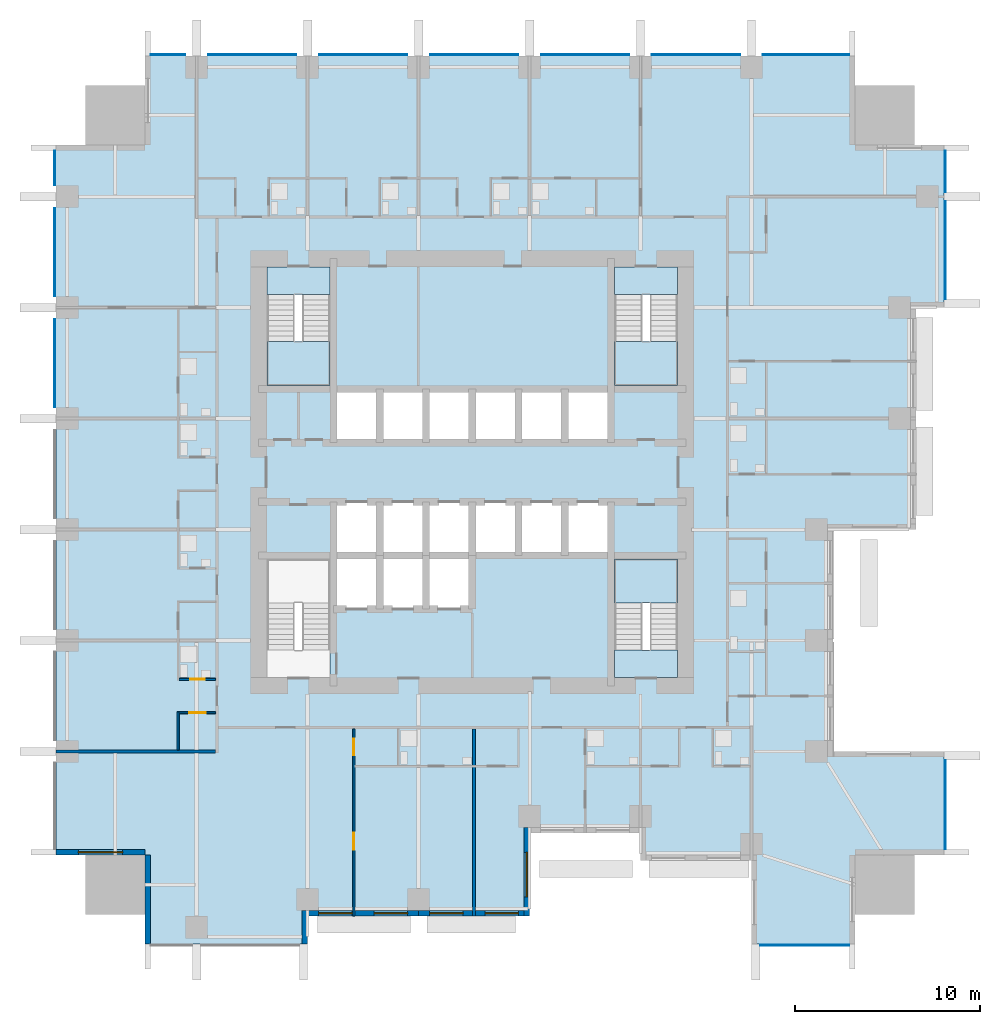
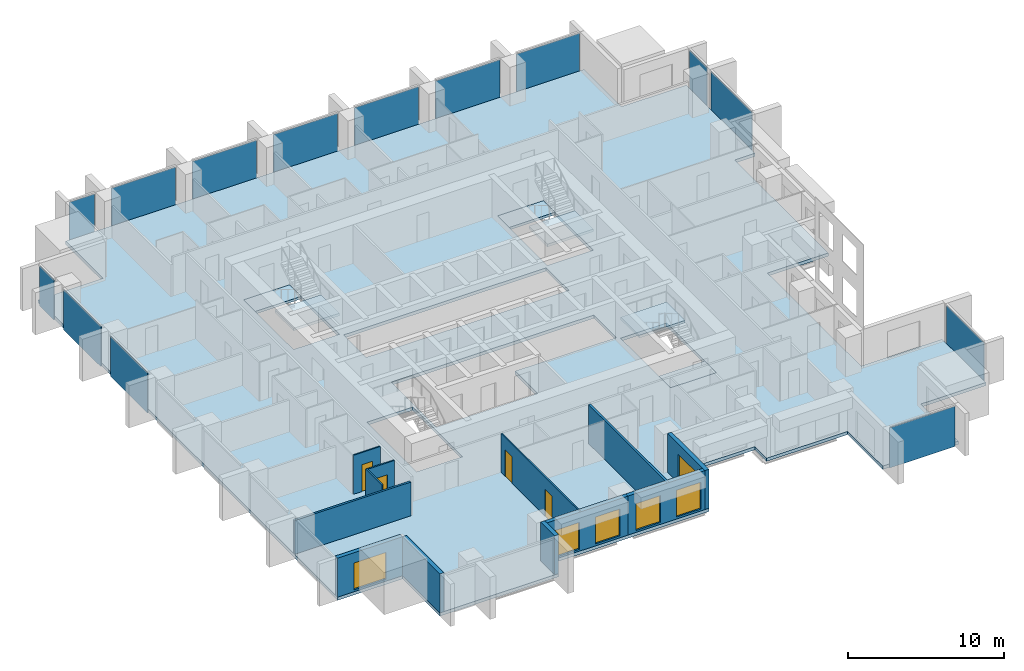
# One storey, part 3 of 10: 14 plates, 12 walls, 7 slabs, 6 windows, 4 doors, 10 openings, 8 elements without a shape of their own.
"""IFC4 building model written with IfcOpenShell, lengths in metres."""

from ifc_helpers import new_model, si_unit, direction, frame, frame_2d, origin, origin_2d, place, context, subcontext, project, spatial, polyline, rectangle, outline, extrude, material, layer, layer_set, type_object, element, fill, aggregate, save


model = new_model("IFC4")

# Units and contexts
model_context = context("Model", 3, precision=1e-05, world=origin(), true_north=direction((0.0, 1.0)))
body_context = subcontext(model_context, "Body", "Model", "MODEL_VIEW")
ifc_project = project(units=[si_unit("LENGTHUNIT", "METRE"), si_unit("AREAUNIT", "SQUARE_METRE"), si_unit("VOLUMEUNIT", "CUBIC_METRE"), si_unit("PLANEANGLEUNIT", "RADIAN"), si_unit("MASSUNIT", "GRAM", prefix="KILO")], contexts=[model_context])

# Site, building, storey
site_placement = place(None, origin())
site = spatial("IfcSite", under=ifc_project, at=site_placement, CompositionType="ELEMENT")
building_placement = place(site_placement, origin())
building = spatial("IfcBuilding", under=site, at=building_placement, Name="Amberfall Residences", CompositionType="ELEMENT")
storey_placement = place(building_placement, frame((0.0, 0.0, 30.10009765625)))
storey = spatial("IfcBuildingStorey", under=building, at=storey_placement, Name="L07", CompositionType="ELEMENT", Elevation=30.10009765625)

# Curtain wall, plate
ifc_material_1 = material(Name="Bronze anodised aluminium and glass", Category="aluminium")
curtain_wall_type = type_object("IfcCurtainWallType", Name="Curtain wall CW1 tower unit", PredefinedType="USERDEFINED", material=ifc_material_1)
curtain_wall_1_placement = place(storey_placement, origin())
curtain_wall_1 = element("IfcCurtainWall", 1, at=curtain_wall_1_placement, inside=storey, type_object=curtain_wall_type, Name="Curtain wall L07 S S10", ObjectType="UNITISED CURTAIN WALL", PredefinedType="USERDEFINED")
ifc_material_2 = material(Name="Tinted double glazed unit", Category="glass")
ifc_layer_1 = layer(ifc_material_2, 0.035888671875)
ifc_layer_set_1 = layer_set([ifc_layer_1], Name="CW1 panel 36 glazing")
plate_type = type_object("IfcPlateType", Name="CW1 panel 36 glazing", PredefinedType="CURTAIN_PANEL", material=ifc_layer_set_1)
plate_1_placement = place(storey_placement, frame((92.47509765625, 19.925048828125, -0.25), z_axis=(0.0, 0.0, 1.0), x_axis=(1.0, 0.0, 0.0)))
plate_1 = element("IfcPlate", 2, at=plate_1_placement, type_object=plate_type, Name="CW1 panel 1.1", PredefinedType="CURTAIN_PANEL", context=body_context, shape_type="SweptSolid", body=[
    extrude(rectangle(XDim=4.825927734375, YDim=0.035888671875, at=origin_2d()), origin(), (0.0, 0.0, 1.0), 3.14990234375),
])
aggregate(curtain_wall_1, [plate_1])

curtain_wall_2_placement = place(storey_placement, origin())
curtain_wall_2 = element("IfcCurtainWall", 3, at=curtain_wall_2_placement, inside=storey, type_object=curtain_wall_type, Name="Curtain wall L07 E E1", ObjectType="UNITISED CURTAIN WALL", PredefinedType="USERDEFINED")
plate_2_placement = place(storey_placement, frame((100.074951171875, 27.52490234375, -0.25), z_axis=(0.0, 0.0, 1.0), x_axis=(0.0, 1.0, 0.0)))
plate_2 = element("IfcPlate", 4, at=plate_2_placement, type_object=plate_type, Name="CW1 panel 1.1", PredefinedType="CURTAIN_PANEL", context=body_context, shape_type="SweptSolid", body=[
    extrude(rectangle(XDim=4.825927734375, YDim=0.035888671875, at=origin_2d()), origin(), (0.0, 0.0, 1.0), 3.14990234375),
])
aggregate(curtain_wall_2, [plate_2])

# Curtain wall, plates
curtain_wall_3_placement = place(storey_placement, origin())
curtain_wall_3 = element("IfcCurtainWall", 5, at=curtain_wall_3_placement, inside=storey, type_object=curtain_wall_type, Name="Curtain wall L07 E E9", ObjectType="UNITISED CURTAIN WALL", PredefinedType="USERDEFINED")
plate_3_placement = place(storey_placement, frame((100.074951171875, 57.512451171875, -0.25), z_axis=(0.0, 0.0, 1.0), x_axis=(0.0, 1.0, 0.0)))
plate_3 = element("IfcPlate", 6, at=plate_3_placement, type_object=plate_type, Name="CW1 panel 1.1", PredefinedType="CURTAIN_PANEL", context=body_context, shape_type="SweptSolid", body=[
    extrude(rectangle(XDim=5.301025390625, YDim=0.035888671875, at=origin_2d()), origin(), (0.0, 0.0, 1.0), 3.14990234375),
])
plate_4_placement = place(storey_placement, frame((100.074951171875, 61.762451171875, -0.25), z_axis=(0.0, 0.0, 1.0), x_axis=(0.0, 1.0, 0.0)))
plate_4 = element("IfcPlate", 7, at=plate_4_placement, type_object=plate_type, Name="CW1 panel 2.1", PredefinedType="CURTAIN_PANEL", context=body_context, shape_type="SweptSolid", body=[
    extrude(rectangle(XDim=2.2509765625, YDim=0.035888671875, at=origin_2d()), origin(), (0.0, 0.0, 1.0), 3.14990234375),
])
aggregate(curtain_wall_3, [plate_3, plate_4])

curtain_wall_4_placement = place(storey_placement, origin())
curtain_wall_4 = element("IfcCurtainWall", 8, at=curtain_wall_4_placement, inside=storey, type_object=curtain_wall_type, Name="Curtain wall L07 N N1", ObjectType="UNITISED CURTAIN WALL", PredefinedType="USERDEFINED")
plate_5_placement = place(storey_placement, frame((92.552490234375, 68.074951171875, -0.25), z_axis=(0.0, 0.0, 1.0), x_axis=(-1.0, 0.0, 0.0)))
plate_5 = element("IfcPlate", 9, at=plate_5_placement, type_object=plate_type, Name="CW1 panel 1.1", PredefinedType="CURTAIN_PANEL", context=body_context, shape_type="SweptSolid", body=[
    extrude(rectangle(XDim=4.6708984375, YDim=0.035888671875, at=origin_2d()), origin(), (0.0, 0.0, 1.0), 3.14990234375),
])
plate_6_placement = place(storey_placement, frame((86.60009765625, 68.074951171875, -0.25), z_axis=(0.0, 0.0, 1.0), x_axis=(-1.0, 0.0, 0.0)))
plate_6 = element("IfcPlate", 10, at=plate_6_placement, type_object=plate_type, Name="CW1 panel 2.1", PredefinedType="CURTAIN_PANEL", context=body_context, shape_type="SweptSolid", body=[
    extrude(rectangle(XDim=4.76611328125, YDim=0.035888671875, at=origin_2d()), origin(), (0.0, 0.0, 1.0), 3.14990234375),
])
plate_7_placement = place(storey_placement, frame((80.60009765625, 68.074951171875, -0.25), z_axis=(0.0, 0.0, 1.0), x_axis=(-1.0, 0.0, 0.0)))
plate_7 = element("IfcPlate", 11, at=plate_7_placement, type_object=plate_type, Name="CW1 panel 3.1", PredefinedType="CURTAIN_PANEL", context=body_context, shape_type="SweptSolid", body=[
    extrude(rectangle(XDim=4.76611328125, YDim=0.035888671875, at=origin_2d()), origin(), (0.0, 0.0, 1.0), 3.14990234375),
])
plate_8_placement = place(storey_placement, frame((74.60009765625, 68.074951171875, -0.25), z_axis=(0.0, 0.0, 1.0), x_axis=(-1.0, 0.0, 0.0)))
plate_8 = element("IfcPlate", 12, at=plate_8_placement, type_object=plate_type, Name="CW1 panel 4.1", PredefinedType="CURTAIN_PANEL", context=body_context, shape_type="SweptSolid", body=[
    extrude(rectangle(XDim=4.76611328125, YDim=0.035888671875, at=origin_2d()), origin(), (0.0, 0.0, 1.0), 3.14990234375),
])
plate_9_placement = place(storey_placement, frame((68.60009765625, 68.074951171875, -0.25), z_axis=(0.0, 0.0, 1.0), x_axis=(-1.0, 0.0, 0.0)))
plate_9 = element("IfcPlate", 13, at=plate_9_placement, type_object=plate_type, Name="CW1 panel 5.1", PredefinedType="CURTAIN_PANEL", context=body_context, shape_type="SweptSolid", body=[
    extrude(rectangle(XDim=4.76611328125, YDim=0.035888671875, at=origin_2d()), origin(), (0.0, 0.0, 1.0), 3.14990234375),
])
plate_10_placement = place(storey_placement, frame((62.60009765625, 68.074951171875, -0.25), z_axis=(0.0, 0.0, 1.0), x_axis=(-1.0, 0.0, 0.0)))
plate_10 = element("IfcPlate", 14, at=plate_10_placement, type_object=plate_type, Name="CW1 panel 6.1", PredefinedType="CURTAIN_PANEL", context=body_context, shape_type="SweptSolid", body=[
    extrude(rectangle(XDim=4.76611328125, YDim=0.035888671875, at=origin_2d()), origin(), (0.0, 0.0, 1.0), 3.14990234375),
])
plate_11_placement = place(storey_placement, frame((58.047607421875, 68.074951171875, -0.25), z_axis=(0.0, 0.0, 1.0), x_axis=(-1.0, 0.0, 0.0)))
plate_11 = element("IfcPlate", 15, at=plate_11_placement, type_object=plate_type, Name="CW1 panel 7.1", PredefinedType="CURTAIN_PANEL", context=body_context, shape_type="SweptSolid", body=[
    extrude(rectangle(XDim=1.87109375, YDim=0.035888671875, at=origin_2d()), origin(), (0.0, 0.0, 1.0), 3.14990234375),
])
aggregate(curtain_wall_4, [plate_5, plate_6, plate_7, plate_8, plate_9, plate_10, plate_11])

curtain_wall_5_placement = place(storey_placement, origin())
curtain_wall_5 = element("IfcCurtainWall", 16, at=curtain_wall_5_placement, inside=storey, type_object=curtain_wall_type, Name="Curtain wall L07 W W1", ObjectType="UNITISED CURTAIN WALL", PredefinedType="USERDEFINED")
plate_12_placement = place(storey_placement, frame((51.925048828125, 61.952392578125, -0.25), z_axis=(0.0, 0.0, 1.0), x_axis=(0.0, -1.0, 0.0)))
plate_12 = element("IfcPlate", 17, at=plate_12_placement, type_object=plate_type, Name="CW1 panel 1.1", PredefinedType="CURTAIN_PANEL", context=body_context, shape_type="SweptSolid", body=[
    extrude(rectangle(XDim=1.87109375, YDim=0.035888671875, at=origin_2d()), origin(), (0.0, 0.0, 1.0), 3.14990234375),
])
plate_13_placement = place(storey_placement, frame((51.925048828125, 57.39990234375, -0.25), z_axis=(0.0, 0.0, 1.0), x_axis=(0.0, -1.0, 0.0)))
plate_13 = element("IfcPlate", 18, at=plate_13_placement, type_object=plate_type, Name="CW1 panel 2.1", PredefinedType="CURTAIN_PANEL", context=body_context, shape_type="SweptSolid", body=[
    extrude(rectangle(XDim=4.76611328125, YDim=0.035888671875, at=origin_2d()), origin(), (0.0, 0.0, 1.0), 3.14990234375),
])
plate_14_placement = place(storey_placement, frame((51.925048828125, 51.39990234375, -0.25), z_axis=(0.0, 0.0, 1.0), x_axis=(0.0, -1.0, 0.0)))
plate_14 = element("IfcPlate", 19, at=plate_14_placement, type_object=plate_type, Name="CW1 panel 3.1", PredefinedType="CURTAIN_PANEL", context=body_context, shape_type="SweptSolid", body=[
    extrude(rectangle(XDim=4.76611328125, YDim=0.035888671875, at=origin_2d()), origin(), (0.0, 0.0, 1.0), 3.14990234375),
])
aggregate(curtain_wall_5, [plate_12, plate_13, plate_14])

# Slab
ifc_material_3 = material(Name="Concrete C80", Category="concrete")
ifc_layer_2 = layer(ifc_material_3, 0.25)
ifc_layer_set_2 = layer_set([ifc_layer_2], Name="Floor slab 250 C80")
slab_type_1 = type_object("IfcSlabType", Name="Floor slab 250 C80", PredefinedType="FLOOR", material=ifc_layer_set_2)
slab_1_placement = place(storey_placement, frame((0.0, 0.0, -0.25)))
element("IfcSlab", 20, at=slab_1_placement, inside=storey, type_object=slab_type_1, Name="Floor slab S3 L07", PredefinedType="FLOOR", context=body_context, shape_type="SweptSolid", body=[
    extrude(outline(polyline([(89.60009765625, 20.0), (89.60009765625, 24.5), (83.60009765625, 24.5), (83.60009765625, 26.0), (77.60009765625, 26.0), (77.60009765625, 21.5), (71.60009765625, 21.5), (65.60009765625, 21.5), (65.60009765625, 20.0), (56.800048828125, 20.0), (56.800048828125, 24.800048828125), (52.0, 24.800048828125), (52.0, 63.199951171875), (56.800048828125, 63.199951171875), (56.800048828125, 68.0), (95.199951171875, 68.0), (95.199951171875, 63.199951171875), (100.0, 63.199951171875), (100.0, 54.39990234375), (98.5, 54.39990234375), (98.5, 48.39990234375), (98.5, 42.39990234375), (94.0, 42.39990234375), (94.0, 36.39990234375), (94.0, 30.39990234375), (100.0, 30.39990234375), (100.0, 24.800048828125), (95.199951171875, 24.800048828125), (95.199951171875, 20.0), (89.60009765625, 20.0)]), holes=[polyline([(85.60009765625, 34.39990234375), (85.60009765625, 40.800048828125), (82.199951171875, 40.800048828125), (82.199951171875, 34.39990234375), (85.60009765625, 34.39990234375)]), polyline([(82.199951171875, 50.199951171875), (85.60009765625, 50.199951171875), (85.60009765625, 56.60009765625), (82.199951171875, 56.60009765625), (82.199951171875, 50.199951171875)]), polyline([(69.5, 50.0), (67.0, 50.0), (67.0, 47.10009765625), (69.5, 47.10009765625), (72.0, 47.10009765625), (74.5, 47.10009765625), (77.0, 47.10009765625), (79.5, 47.10009765625), (82.0, 47.10009765625), (82.0, 50.0), (79.5, 50.0), (77.0, 50.0), (74.5, 50.0), (72.0, 50.0), (69.5, 50.0)]), polyline([(74.5, 41.0), (77.0, 41.0), (79.5, 41.0), (82.0, 41.0), (82.0, 43.89990234375), (79.5, 43.89990234375), (77.0, 43.89990234375), (74.5, 43.89990234375), (72.0, 43.89990234375), (69.5, 43.89990234375), (67.0, 43.89990234375), (67.0, 41.0), (67.0, 38.10009765625), (69.5, 38.10009765625), (72.0, 38.10009765625), (74.5, 38.10009765625), (74.5, 41.0)]), polyline([(66.800048828125, 34.39990234375), (66.800048828125, 40.800048828125), (63.39990234375, 40.800048828125), (63.39990234375, 34.39990234375), (66.800048828125, 34.39990234375)]), polyline([(66.800048828125, 50.199951171875), (66.800048828125, 56.60009765625), (63.39990234375, 56.60009765625), (63.39990234375, 50.199951171875), (66.800048828125, 50.199951171875)])]), origin(), (0.0, 0.0, 1.0), 0.25),
])

# Stair, slabs
ifc_material_4 = material(Name="Concrete C40", Category="concrete")
stair_type = type_object("IfcStairType", Name="Exit stair 20 risers 165.0 mm", PredefinedType="HALF_TURN_STAIR", material=ifc_material_4)
stair_1_placement = place(storey_placement, origin())
stair_1 = element("IfcStair", 21, at=stair_1_placement, inside=storey, type_object=stair_type, Name="L07 Exit stair 2", PredefinedType="HALF_TURN_STAIR")
ifc_layer_3 = layer(ifc_material_4, 0.199951171875)
ifc_layer_set_3 = layer_set([ifc_layer_3], Name="Stair landing 200")
slab_type_2 = type_object("IfcSlabType", Name="Stair landing 200", PredefinedType="LANDING", material=ifc_layer_set_3)
slab_2_placement = place(storey_placement, frame((0.0, 0.0, 1.449951171875)))
slab_2 = element("IfcSlab", 22, at=slab_2_placement, type_object=slab_type_2, Name="ST3 landing 1", PredefinedType="LANDING", context=body_context, shape_type="SweptSolid", body=[
    extrude(outline(polyline([(85.60009765625, 38.419921875), (85.60009765625, 40.800048828125), (82.199951171875, 40.800048828125), (82.199951171875, 38.419921875), (85.60009765625, 38.419921875)])), origin(), (0.0, 0.0, 1.0), 0.199951171875),
])
slab_3_placement = place(storey_placement, frame((0.0, 0.0, -0.2001953125)))
slab_3 = element("IfcSlab", 23, at=slab_3_placement, type_object=slab_type_2, Name="ST3 landing 2", PredefinedType="LANDING", context=body_context, shape_type="SweptSolid", body=[
    extrude(outline(polyline([(85.60009765625, 34.39990234375), (85.60009765625, 35.89990234375), (82.199951171875, 35.89990234375), (82.199951171875, 34.39990234375), (85.60009765625, 34.39990234375)])), origin(), (0.0, 0.0, 1.0), 0.2001953125),
])
aggregate(stair_1, [slab_2, slab_3])

stair_2_placement = place(storey_placement, origin())
stair_2 = element("IfcStair", 24, at=stair_2_placement, inside=storey, type_object=stair_type, Name="L07 Exit stair 3", PredefinedType="HALF_TURN_STAIR")
slab_4_placement = place(storey_placement, frame((0.0, 0.0, 1.449951171875)))
slab_4 = element("IfcSlab", 25, at=slab_4_placement, type_object=slab_type_2, Name="ST3 landing 1", PredefinedType="LANDING", context=body_context, shape_type="SweptSolid", body=[
    extrude(outline(polyline([(82.199951171875, 52.580078125), (82.199951171875, 50.199951171875), (85.60009765625, 50.199951171875), (85.60009765625, 52.580078125), (82.199951171875, 52.580078125)])), origin(), (0.0, 0.0, 1.0), 0.199951171875),
])
slab_5_placement = place(storey_placement, frame((0.0, 0.0, -0.2001953125)))
slab_5 = element("IfcSlab", 26, at=slab_5_placement, type_object=slab_type_2, Name="ST3 landing 2", PredefinedType="LANDING", context=body_context, shape_type="SweptSolid", body=[
    extrude(outline(polyline([(82.199951171875, 56.60009765625), (82.199951171875, 55.10009765625), (85.60009765625, 55.10009765625), (85.60009765625, 56.60009765625), (82.199951171875, 56.60009765625)])), origin(), (0.0, 0.0, 1.0), 0.2001953125),
])
aggregate(stair_2, [slab_4, slab_5])

stair_3_placement = place(storey_placement, origin())
stair_3 = element("IfcStair", 27, at=stair_3_placement, inside=storey, type_object=stair_type, Name="L07 Exit stair 4", PredefinedType="HALF_TURN_STAIR")
slab_6_placement = place(storey_placement, frame((0.0, 0.0, 1.449951171875)))
slab_6 = element("IfcSlab", 28, at=slab_6_placement, type_object=slab_type_2, Name="ST3 landing 1", PredefinedType="LANDING", context=body_context, shape_type="SweptSolid", body=[
    extrude(outline(polyline([(63.39990234375, 52.580078125), (63.39990234375, 50.199951171875), (66.800048828125, 50.199951171875), (66.800048828125, 52.580078125), (63.39990234375, 52.580078125)])), origin(), (0.0, 0.0, 1.0), 0.199951171875),
])
slab_7_placement = place(storey_placement, frame((0.0, 0.0, -0.2001953125)))
slab_7 = element("IfcSlab", 29, at=slab_7_placement, type_object=slab_type_2, Name="ST3 landing 2", PredefinedType="LANDING", context=body_context, shape_type="SweptSolid", body=[
    extrude(outline(polyline([(63.39990234375, 56.60009765625), (63.39990234375, 55.10009765625), (66.800048828125, 55.10009765625), (66.800048828125, 56.60009765625), (63.39990234375, 56.60009765625)])), origin(), (0.0, 0.0, 1.0), 0.2001953125),
])
aggregate(stair_3, [slab_6, slab_7])

# Wall
ifc_material_5 = material(Name="Pale stone cladding on insulated backing", Category="masonry")
ifc_layer_4 = layer(ifc_material_5, 0.300048828125)
ifc_layer_set_4 = layer_set([ifc_layer_4], Name="Bronze clad wall 300")
wall_type_1 = type_object("IfcWallType", Name="Bronze clad wall 300", PredefinedType="SOLIDWALL", material=ifc_layer_set_4)
wall_1_placement = place(storey_placement, frame((65.449951171875, 20.0, 0.0), z_axis=(0.0, 0.0, 1.0), x_axis=(0.0, 1.0, 0.0)))
element("IfcWall", 30, at=wall_1_placement, inside=storey, type_object=wall_type_1, Name="External wall L07 S", PredefinedType="SOLIDWALL", context=body_context, shape_type="SweptSolid", body=[
    extrude(rectangle(XDim=1.800048828125, YDim=0.300048828125, at=frame_2d((0.89990234375, 0.0))), origin(), (0.0, 0.0, 1.0), 3.0498046875),
])

# Wall, opening, window
wall_2_placement = place(storey_placement, frame((77.449951171875, 21.5, 0.0), z_axis=(0.0, 0.0, 1.0), x_axis=(0.0, 1.0, 0.0)))
wall_2 = element("IfcWall", 31, at=wall_2_placement, inside=storey, type_object=wall_type_1, Name="External wall L07 S", PredefinedType="SOLIDWALL", context=body_context, shape_type="SweptSolid", body=[
    extrude(rectangle(XDim=4.800048828125, YDim=0.300048828125, at=frame_2d((2.39990234375, 0.0))), origin(), (0.0, 0.0, 1.0), 3.0498046875),
])
opening_1_placement = place(wall_2_placement, frame((1.050048828125, 0.0, 0.14990234375)))
opening_1 = element("IfcOpeningElement", 32, at=opening_1_placement, cuts=wall_2, Name="Opening WN5", PredefinedType="OPENING", context=body_context, shape_type="SweptSolid", body=[
    extrude(rectangle(XDim=2.39990234375, YDim=2.10009765625, at=frame_2d((1.199951171875, 1.050048828125))), frame((0.0, 0.159912109375, 0.0), z_axis=(0.0, -1.0, 0.0), x_axis=(1.0, 0.0, 0.0)), (0.0, 0.0, 1.0), 0.320068359375),
])
ifc_material_6 = material(Name="Bronze aluminium framed glazing", Category="aluminium")
window_type_1 = type_object("IfcWindowType", Name="Glazed opening 2400 x 2100 bronze", PartitioningType="DOUBLE_PANEL_VERTICAL", PredefinedType="WINDOW", material=ifc_material_6)
window_1_placement = place(opening_1_placement, origin())
window_1 = element("IfcWindow", 33, at=window_1_placement, inside=storey, type_object=window_type_1, Name="Window L07 S", OverallHeight=2.10009765625, OverallWidth=2.39990234375, PartitioningType="DOUBLE_PANEL_VERTICAL", PredefinedType="WINDOW", context=body_context, shape_type="SweptSolid", body=[
    extrude(rectangle(XDim=2.39990234375, YDim=2.10009765625, at=frame_2d((1.199951171875, 1.050048828125))), frame((0.0, 0.030029296875, 0.0), z_axis=(0.0, -1.0, 0.0), x_axis=(1.0, 0.0, 0.0)), (0.0, 0.0, 1.0), 0.06005859375),
])
fill(opening_1, window_1)

wall_3_placement = place(storey_placement, frame((52.0, 24.949951171875, 0.0), z_axis=(0.0, 0.0, 1.0), x_axis=(1.0, 0.0, 0.0)))
wall_3 = element("IfcWall", 34, at=wall_3_placement, inside=storey, type_object=wall_type_1, Name="External wall L07 SW", PredefinedType="SOLIDWALL", context=body_context, shape_type="SweptSolid", body=[
    extrude(rectangle(XDim=4.800048828125, YDim=0.300048828125, at=frame_2d((2.39990234375, 0.0))), origin(), (0.0, 0.0, 1.0), 3.0498046875),
])
opening_2_placement = place(wall_3_placement, frame((1.199951171875, 0.0, 0.14990234375)))
opening_2 = element("IfcOpeningElement", 35, at=opening_2_placement, cuts=wall_3, Name="Opening WN5", PredefinedType="OPENING", context=body_context, shape_type="SweptSolid", body=[
    extrude(rectangle(XDim=2.39990234375, YDim=2.10009765625, at=frame_2d((1.199951171875, 1.050048828125))), frame((0.0, 0.159912109375, 0.0), z_axis=(0.0, -1.0, 0.0), x_axis=(1.0, 0.0, 0.0)), (0.0, 0.0, 1.0), 0.320068359375),
])
window_2_placement = place(opening_2_placement, origin())
window_2 = element("IfcWindow", 36, at=window_2_placement, inside=storey, type_object=window_type_1, Name="Window L07 SW", OverallHeight=2.10009765625, OverallWidth=2.39990234375, PartitioningType="DOUBLE_PANEL_VERTICAL", PredefinedType="WINDOW", context=body_context, shape_type="SweptSolid", body=[
    extrude(rectangle(XDim=2.39990234375, YDim=2.10009765625, at=frame_2d((1.199951171875, 1.050048828125))), frame((0.0, 0.030029296875, 0.0), z_axis=(0.0, -1.0, 0.0), x_axis=(1.0, 0.0, 0.0)), (0.0, 0.0, 1.0), 0.06005859375),
])
fill(opening_2, window_2)

# Wall
wall_4_placement = place(storey_placement, frame((56.949951171875, 24.800048828125, 0.0), z_axis=(0.0, 0.0, 1.0), x_axis=(0.0, -1.0, 0.0)))
element("IfcWall", 37, at=wall_4_placement, inside=storey, type_object=wall_type_1, Name="External wall L07 SW", PredefinedType="SOLIDWALL", context=body_context, shape_type="SweptSolid", body=[
    extrude(rectangle(XDim=4.800048828125, YDim=0.300048828125, at=frame_2d((2.39990234375, 0.0))), origin(), (0.0, 0.0, 1.0), 3.0498046875),
])

# Wall, openings, windows
wall_5_placement = place(storey_placement, frame((65.60009765625, 21.64990234375, 0.0), z_axis=(0.0, 0.0, 1.0), x_axis=(1.0, 0.0, 0.0)))
wall_5 = element("IfcWall", 38, at=wall_5_placement, inside=storey, type_object=wall_type_1, Name="Stone wall L07 S", PredefinedType="SOLIDWALL", context=body_context, shape_type="SweptSolid", body=[
    extrude(rectangle(XDim=6.0, YDim=0.300048828125, at=frame_2d((3.0, 0.0))), origin(), (0.0, 0.0, 1.0), 3.0498046875),
])
opening_3_placement = place(wall_5_placement, frame((0.60009765625, 0.0, 0.14990234375)))
opening_3 = element("IfcOpeningElement", 39, at=opening_3_placement, cuts=wall_5, Name="Opening WN6", PredefinedType="OPENING", context=body_context, shape_type="SweptSolid", body=[
    extrude(rectangle(XDim=1.800048828125, YDim=2.10009765625, at=frame_2d((0.89990234375, 1.050048828125))), frame((0.0, 0.159912109375, 0.0), z_axis=(0.0, -1.0, 0.0), x_axis=(1.0, 0.0, 0.0)), (0.0, 0.0, 1.0), 0.320068359375),
])
opening_4_placement = place(wall_5_placement, frame((3.60009765625, 0.0, 0.14990234375)))
opening_4 = element("IfcOpeningElement", 40, at=opening_4_placement, cuts=wall_5, Name="Opening WN6", PredefinedType="OPENING", context=body_context, shape_type="SweptSolid", body=[
    extrude(rectangle(XDim=1.800048828125, YDim=2.10009765625, at=frame_2d((0.89990234375, 1.050048828125))), frame((0.0, 0.159912109375, 0.0), z_axis=(0.0, -1.0, 0.0), x_axis=(1.0, 0.0, 0.0)), (0.0, 0.0, 1.0), 0.320068359375),
])
window_type_2 = type_object("IfcWindowType", Name="Glazed opening 1800 x 2100 bronze", PartitioningType="DOUBLE_PANEL_VERTICAL", PredefinedType="WINDOW", material=ifc_material_6)
window_3_placement = place(opening_3_placement, origin())
window_3 = element("IfcWindow", 41, at=window_3_placement, inside=storey, type_object=window_type_2, Name="Window L07 S", OverallHeight=2.10009765625, OverallWidth=1.800048828125, PartitioningType="DOUBLE_PANEL_VERTICAL", PredefinedType="WINDOW", context=body_context, shape_type="SweptSolid", body=[
    extrude(rectangle(XDim=1.800048828125, YDim=2.10009765625, at=frame_2d((0.89990234375, 1.050048828125))), frame((0.0, 0.030029296875, 0.0), z_axis=(0.0, -1.0, 0.0), x_axis=(1.0, 0.0, 0.0)), (0.0, 0.0, 1.0), 0.06005859375),
])
fill(opening_3, window_3)
window_4_placement = place(opening_4_placement, origin())
window_4 = element("IfcWindow", 42, at=window_4_placement, inside=storey, type_object=window_type_2, Name="Window L07 S", OverallHeight=2.10009765625, OverallWidth=1.800048828125, PartitioningType="DOUBLE_PANEL_VERTICAL", PredefinedType="WINDOW", context=body_context, shape_type="SweptSolid", body=[
    extrude(rectangle(XDim=1.800048828125, YDim=2.10009765625, at=frame_2d((0.89990234375, 1.050048828125))), frame((0.0, 0.030029296875, 0.0), z_axis=(0.0, -1.0, 0.0), x_axis=(1.0, 0.0, 0.0)), (0.0, 0.0, 1.0), 0.06005859375),
])
fill(opening_4, window_4)

wall_6_placement = place(storey_placement, frame((71.60009765625, 21.64990234375, 0.0), z_axis=(0.0, 0.0, 1.0), x_axis=(1.0, 0.0, 0.0)))
wall_6 = element("IfcWall", 43, at=wall_6_placement, inside=storey, type_object=wall_type_1, Name="Stone wall L07 S", PredefinedType="SOLIDWALL", context=body_context, shape_type="SweptSolid", body=[
    extrude(rectangle(XDim=5.699951171875, YDim=0.300048828125, at=frame_2d((2.85009765625, 0.0))), origin(), (0.0, 0.0, 1.0), 3.0498046875),
])
opening_5_placement = place(wall_6_placement, frame((0.60009765625, 0.0, 0.14990234375)))
opening_5 = element("IfcOpeningElement", 44, at=opening_5_placement, cuts=wall_6, Name="Opening WN6", PredefinedType="OPENING", context=body_context, shape_type="SweptSolid", body=[
    extrude(rectangle(XDim=1.800048828125, YDim=2.10009765625, at=frame_2d((0.89990234375, 1.050048828125))), frame((0.0, 0.159912109375, 0.0), z_axis=(0.0, -1.0, 0.0), x_axis=(1.0, 0.0, 0.0)), (0.0, 0.0, 1.0), 0.320068359375),
])
opening_6_placement = place(wall_6_placement, frame((3.60009765625, 0.0, 0.14990234375)))
opening_6 = element("IfcOpeningElement", 45, at=opening_6_placement, cuts=wall_6, Name="Opening WN6", PredefinedType="OPENING", context=body_context, shape_type="SweptSolid", body=[
    extrude(rectangle(XDim=1.800048828125, YDim=2.10009765625, at=frame_2d((0.89990234375, 1.050048828125))), frame((0.0, 0.159912109375, 0.0), z_axis=(0.0, -1.0, 0.0), x_axis=(1.0, 0.0, 0.0)), (0.0, 0.0, 1.0), 0.320068359375),
])
window_5_placement = place(opening_5_placement, origin())
window_5 = element("IfcWindow", 46, at=window_5_placement, inside=storey, type_object=window_type_2, Name="Window L07 S", OverallHeight=2.10009765625, OverallWidth=1.800048828125, PartitioningType="DOUBLE_PANEL_VERTICAL", PredefinedType="WINDOW", context=body_context, shape_type="SweptSolid", body=[
    extrude(rectangle(XDim=1.800048828125, YDim=2.10009765625, at=frame_2d((0.89990234375, 1.050048828125))), frame((0.0, 0.030029296875, 0.0), z_axis=(0.0, -1.0, 0.0), x_axis=(1.0, 0.0, 0.0)), (0.0, 0.0, 1.0), 0.06005859375),
])
fill(opening_5, window_5)
window_6_placement = place(opening_6_placement, origin())
window_6 = element("IfcWindow", 47, at=window_6_placement, inside=storey, type_object=window_type_2, Name="Window L07 S", OverallHeight=2.10009765625, OverallWidth=1.800048828125, PartitioningType="DOUBLE_PANEL_VERTICAL", PredefinedType="WINDOW", context=body_context, shape_type="SweptSolid", body=[
    extrude(rectangle(XDim=1.800048828125, YDim=2.10009765625, at=frame_2d((0.89990234375, 1.050048828125))), frame((0.0, 0.030029296875, 0.0), z_axis=(0.0, -1.0, 0.0), x_axis=(1.0, 0.0, 0.0)), (0.0, 0.0, 1.0), 0.06005859375),
])
fill(opening_6, window_6)

# Wall
ifc_material_7 = material(Name="Gypsum board on metal stud")
ifc_layer_5 = layer(ifc_material_7, 0.10009765625)
ifc_layer_set_5 = layer_set([ifc_layer_5], Name="Flat partition 100")
wall_type_2 = type_object("IfcWallType", Name="Flat partition 100", PredefinedType="PARTITIONING", material=ifc_layer_set_5)
wall_7_placement = place(storey_placement, frame((58.60009765625, 30.47509765625, 0.0), z_axis=(0.0, 0.0, 1.0), x_axis=(0.0, 1.0, 0.0)))
element("IfcWall", 48, at=wall_7_placement, inside=storey, type_object=wall_type_2, Name="Partition 001", PredefinedType="PARTITIONING", context=body_context, shape_type="SweptSolid", body=[
    extrude(rectangle(XDim=2.074951171875, YDim=0.10009765625, at=frame_2d((1.03759765625, 0.0))), origin(), (0.0, 0.0, 1.0), 3.0498046875),
])

# Wall, openings, doors
wall_8_placement = place(storey_placement, frame((68.10009765625, 31.625, 0.0), z_axis=(0.0, 0.0, 1.0), x_axis=(0.0, -1.0, 0.0)))
wall_8 = element("IfcWall", 49, at=wall_8_placement, inside=storey, type_object=wall_type_2, Name="Partition 008", PredefinedType="PARTITIONING", context=body_context, shape_type="SweptSolid", body=[
    extrude(rectangle(XDim=10.125, YDim=0.10009765625, at=frame_2d((5.0625, 0.0))), origin(), (0.0, 0.0, 1.0), 3.0498046875),
])
opening_7_placement = place(wall_8_placement, frame((0.52490234375, 0.0, 0.0)))
opening_7 = element("IfcOpeningElement", 50, at=opening_7_placement, cuts=wall_8, Name="Opening D41", PredefinedType="OPENING", context=body_context, shape_type="SweptSolid", body=[
    extrude(rectangle(XDim=0.89990234375, YDim=2.10009765625, at=frame_2d((0.449951171875, 1.050048828125))), frame((0.0, 0.06005859375, 0.0), z_axis=(0.0, -1.0, 0.0), x_axis=(1.0, 0.0, 0.0)), (0.0, 0.0, 1.0), 0.1201171875),
])
opening_8_placement = place(wall_8_placement, frame((5.625, 0.0, 0.0)))
opening_8 = element("IfcOpeningElement", 51, at=opening_8_placement, cuts=wall_8, Name="Opening D41", PredefinedType="OPENING", context=body_context, shape_type="SweptSolid", body=[
    extrude(rectangle(XDim=0.89990234375, YDim=2.10009765625, at=frame_2d((0.449951171875, 1.050048828125))), frame((0.0, 0.06005859375, 0.0), z_axis=(0.0, -1.0, 0.0), x_axis=(1.0, 0.0, 0.0)), (0.0, 0.0, 1.0), 0.1201171875),
])
ifc_material_8 = material(Name="Timber", Category="wood")
door_type_1 = type_object("IfcDoorType", Name="Internal door 900 x 2100", OperationType="SINGLE_SWING_LEFT", PredefinedType="DOOR", material=ifc_material_8)
door_1_placement = place(opening_7_placement, origin())
door_1 = element("IfcDoor", 52, at=door_1_placement, inside=storey, type_object=door_type_1, Name="Door 0701 kitchen", OperationType="SINGLE_SWING_LEFT", OverallHeight=2.10009765625, OverallWidth=0.89990234375, PredefinedType="DOOR", context=body_context, shape_type="SweptSolid", body=[
    extrude(rectangle(XDim=0.89990234375, YDim=2.10009765625, at=frame_2d((0.449951171875, 1.050048828125))), frame((0.0, 0.02490234375, 0.0), z_axis=(0.0, -1.0, 0.0), x_axis=(1.0, 0.0, 0.0)), (0.0, 0.0, 1.0), 0.050048828125),
])
fill(opening_7, door_1)
door_2_placement = place(opening_8_placement, origin())
door_2 = element("IfcDoor", 53, at=door_2_placement, inside=storey, type_object=door_type_1, Name="Door 0701 bedroom1", OperationType="SINGLE_SWING_LEFT", OverallHeight=2.10009765625, OverallWidth=0.89990234375, PredefinedType="DOOR", context=body_context, shape_type="SweptSolid", body=[
    extrude(rectangle(XDim=0.89990234375, YDim=2.10009765625, at=frame_2d((0.449951171875, 1.050048828125))), frame((0.0, 0.02490234375, 0.0), z_axis=(0.0, -1.0, 0.0), x_axis=(1.0, 0.0, 0.0)), (0.0, 0.0, 1.0), 0.050048828125),
])
fill(opening_8, door_2)

# Wall, opening, door
wall_9_placement = place(storey_placement, frame((58.64990234375, 34.300048828125, 0.0), z_axis=(0.0, 0.0, 1.0), x_axis=(1.0, 0.0, 0.0)))
wall_9 = element("IfcWall", 54, at=wall_9_placement, inside=storey, type_object=wall_type_2, Name="Partition 038", PredefinedType="PARTITIONING", context=body_context, shape_type="SweptSolid", body=[
    extrude(rectangle(XDim=1.97509765625, YDim=0.10009765625, at=frame_2d((0.987548828125, 0.0))), origin(), (0.0, 0.0, 1.0), 3.0498046875),
])
opening_9_placement = place(wall_9_placement, frame((0.60009765625, 0.0, 0.0)))
opening_9 = element("IfcOpeningElement", 55, at=opening_9_placement, cuts=wall_9, Name="Opening D42", PredefinedType="OPENING", context=body_context, shape_type="SweptSolid", body=[
    extrude(rectangle(XDim=0.800048828125, YDim=2.10009765625, at=frame_2d((0.39990234375, 1.050048828125))), frame((0.0, 0.06005859375, 0.0), z_axis=(0.0, -1.0, 0.0), x_axis=(1.0, 0.0, 0.0)), (0.0, 0.0, 1.0), 0.1201171875),
])
door_type_2 = type_object("IfcDoorType", Name="Bathroom door 800 x 2100", OperationType="SINGLE_SWING_LEFT", PredefinedType="DOOR", material=ifc_material_8)
door_3_placement = place(opening_9_placement, origin())
door_3 = element("IfcDoor", 56, at=door_3_placement, inside=storey, type_object=door_type_2, Name="Door 0711 bath1", OperationType="SINGLE_SWING_LEFT", OverallHeight=2.10009765625, OverallWidth=0.800048828125, PredefinedType="DOOR", context=body_context, shape_type="SweptSolid", body=[
    extrude(rectangle(XDim=0.800048828125, YDim=2.10009765625, at=frame_2d((0.39990234375, 1.050048828125))), frame((0.0, 0.02490234375, 0.0), z_axis=(0.0, -1.0, 0.0), x_axis=(1.0, 0.0, 0.0)), (0.0, 0.0, 1.0), 0.050048828125),
])
fill(opening_9, door_3)

wall_10_placement = place(storey_placement, frame((60.625, 32.5, 0.0), z_axis=(0.0, 0.0, 1.0), x_axis=(-1.0, 0.0, 0.0)))
wall_10 = element("IfcWall", 57, at=wall_10_placement, inside=storey, type_object=wall_type_2, Name="Partition 040", PredefinedType="PARTITIONING", context=body_context, shape_type="SweptSolid", body=[
    extrude(rectangle(XDim=1.97509765625, YDim=0.10009765625, at=frame_2d((0.987548828125, 0.0))), origin(), (0.0, 0.0, 1.0), 3.0498046875),
])
opening_10_placement = place(wall_10_placement, frame((0.52490234375, 0.0, 0.0)))
opening_10 = element("IfcOpeningElement", 58, at=opening_10_placement, cuts=wall_10, Name="Opening D41", PredefinedType="OPENING", context=body_context, shape_type="SweptSolid", body=[
    extrude(rectangle(XDim=0.89990234375, YDim=2.10009765625, at=frame_2d((0.449951171875, 1.050048828125))), frame((0.0, 0.06005859375, 0.0), z_axis=(0.0, -1.0, 0.0), x_axis=(1.0, 0.0, 0.0)), (0.0, 0.0, 1.0), 0.1201171875),
])
door_4_placement = place(opening_10_placement, origin())
door_4 = element("IfcDoor", 59, at=door_4_placement, inside=storey, type_object=door_type_1, Name="Door 0711 kitchen", OperationType="SINGLE_SWING_LEFT", OverallHeight=2.10009765625, OverallWidth=0.89990234375, PredefinedType="DOOR", context=body_context, shape_type="SweptSolid", body=[
    extrude(rectangle(XDim=0.89990234375, YDim=2.10009765625, at=frame_2d((0.449951171875, 1.050048828125))), frame((0.0, 0.02490234375, 0.0), z_axis=(0.0, -1.0, 0.0), x_axis=(1.0, 0.0, 0.0)), (0.0, 0.0, 1.0), 0.050048828125),
])
fill(opening_10, door_4)

# Walls
ifc_material_9 = material(Name="Blockwork, plastered", Category="masonry")
ifc_layer_6 = layer(ifc_material_9, 0.14990234375)
ifc_layer_set_6 = layer_set([ifc_layer_6], Name="Flat separating wall 150")
wall_type_3 = type_object("IfcWallType", Name="Flat separating wall 150", PredefinedType="PARTITIONING", material=ifc_layer_set_6)
wall_11_placement = place(storey_placement, frame((74.60009765625, 21.5, 0.0), z_axis=(0.0, 0.0, 1.0), x_axis=(0.0, 1.0, 0.0)))
element("IfcWall", 60, at=wall_11_placement, inside=storey, type_object=wall_type_3, Name="Separating wall 048", PredefinedType="PARTITIONING", context=body_context, shape_type="SweptSolid", body=[
    extrude(rectangle(XDim=10.125, YDim=0.14990234375, at=frame_2d((5.0625, 0.0))), origin(), (0.0, 0.0, 1.0), 3.0498046875),
])
wall_12_placement = place(storey_placement, frame((52.0, 30.39990234375, 0.0), z_axis=(0.0, 0.0, 1.0), x_axis=(1.0, 0.0, 0.0)))
element("IfcWall", 61, at=wall_12_placement, inside=storey, type_object=wall_type_3, Name="Separating wall 061", PredefinedType="PARTITIONING", context=body_context, shape_type="SweptSolid", body=[
    extrude(rectangle(XDim=8.625, YDim=0.14990234375, at=frame_2d((4.3125, 0.0))), origin(), (0.0, 0.0, 1.0), 2.64697265625),
])

save(model, "model.ifc")
